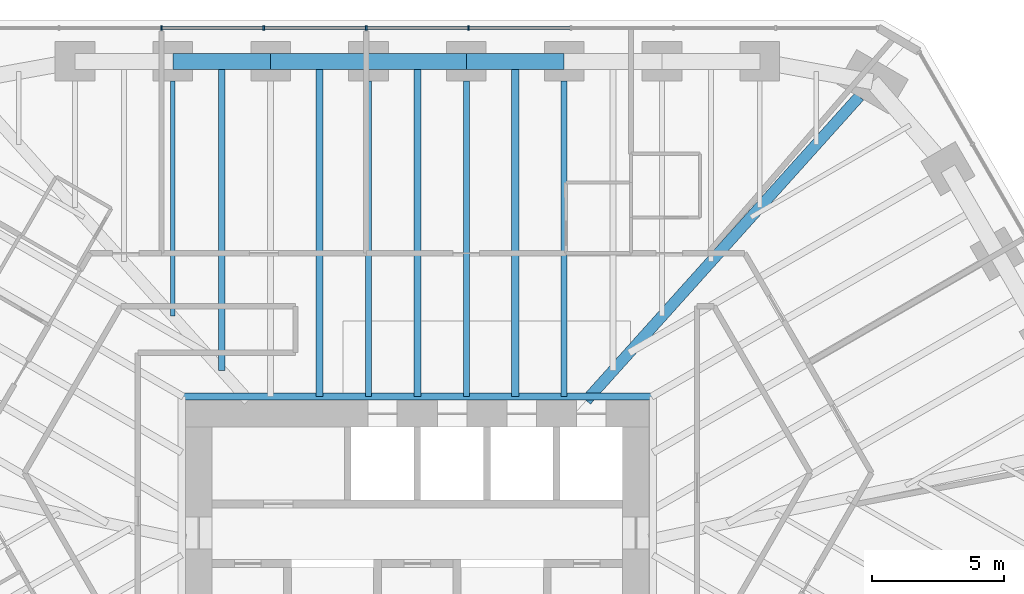
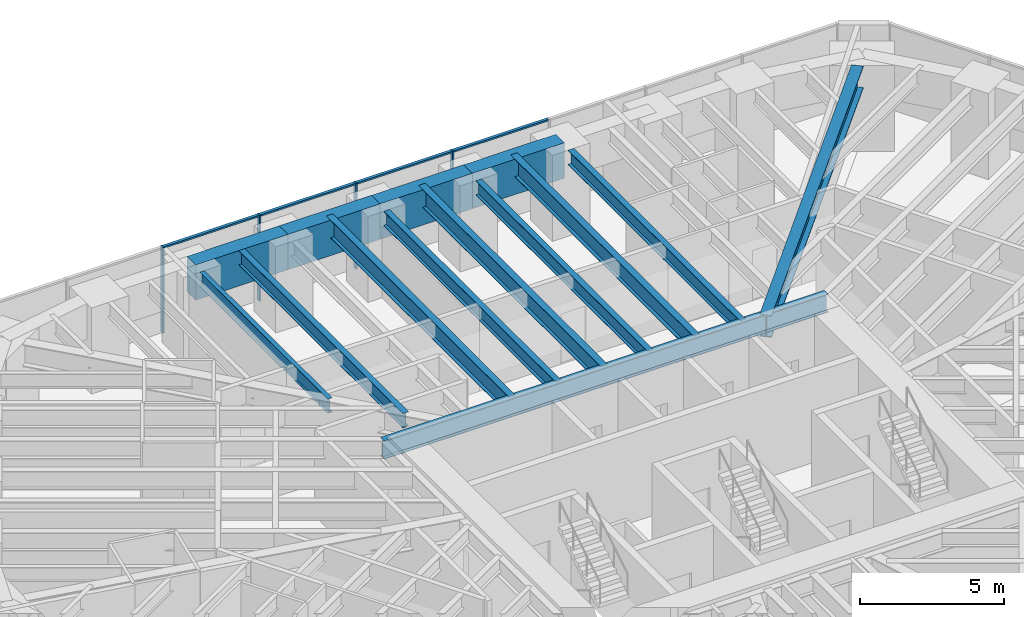
# One storey, part 8 of 16: 14 beams, 8 members, 1 element without a shape of its own.
"""IFC4 building model written with IfcOpenShell, lengths in metres."""

from ifc_helpers import new_model, si_unit, direction, frame, origin, origin_2d, place, context, subcontext, project, spatial, rectangle, i_section, extrude, material, material_profile, profile_set, type_object, element, aggregate, save


model = new_model("IFC4")

# Units and contexts
model_context = context("Model", 3, precision=1e-05, world=origin(), true_north=direction((0.0, 1.0)))
body_context = subcontext(model_context, "Body", "Model", "MODEL_VIEW")
ifc_project = project(units=[si_unit("LENGTHUNIT", "METRE"), si_unit("AREAUNIT", "SQUARE_METRE"), si_unit("VOLUMEUNIT", "CUBIC_METRE"), si_unit("PLANEANGLEUNIT", "RADIAN"), si_unit("MASSUNIT", "GRAM", prefix="KILO")], contexts=[model_context])

# Site, building, storey
site_placement = place(None, origin())
site = spatial("IfcSite", under=ifc_project, at=site_placement, CompositionType="ELEMENT")
building_placement = place(site_placement, origin())
building = spatial("IfcBuilding", under=site, at=building_placement, Name="Sandreach Pilgrim Tower", CompositionType="ELEMENT")
storey_placement = place(building_placement, frame((0.0, 0.0, 228.800048828125)))
storey = spatial("IfcBuildingStorey", under=building, at=storey_placement, Name="L57", CompositionType="ELEMENT", Elevation=228.800048828125)

# Curtain wall, members
ifc_material_1 = material(Name="Aluminium framed curtain wall", Category="aluminium")
curtain_wall_type = type_object("IfcCurtainWallType", Name="Upper hotel tower curtain wall", PredefinedType="NOTDEFINED", material=ifc_material_1)
curtain_wall_placement = place(storey_placement, origin())
curtain_wall = element("IfcCurtainWall", 1, at=curtain_wall_placement, inside=storey, type_object=curtain_wall_type, Name="CW-3 L57 N", PredefinedType="NOTDEFINED")
ifc_material_2 = material(Name="Aluminium extrusion", Category="aluminium")
ifc_material_profile_1 = material_profile(ifc_material_2, rectangle(XDim=0.06494140625, YDim=0.159912109375, at=origin_2d()), Name="CW-3M 65X160")
ifc_profile_set_1 = profile_set([ifc_material_profile_1], Name="Aluminium extrusion")
member_type_1 = type_object("IfcMemberType", Name="CW-3 mullion", PredefinedType="MULLION", material=ifc_profile_set_1)
member_1_placement = place(storey_placement, frame((-9.6611328125, 21.16015625, 0.0), z_axis=(0.0, 0.0, 1.0), x_axis=(1.0, 0.0, 0.0)))
member_1 = element("IfcMember", 2, at=member_1_placement, type_object=member_type_1, Name="CW-3 mullion 3", PredefinedType="MULLION", context=body_context, shape_type="SweptSolid", body=[
    extrude(rectangle(XDim=0.06494140625, YDim=0.159912109375, at=origin_2d()), origin(), (0.0, 0.0, 1.0), 3.639892578125),
])
member_2_placement = place(storey_placement, frame((-5.796630859375, 21.16015625, 0.0), z_axis=(0.0, 0.0, 1.0), x_axis=(1.0, 0.0, 0.0)))
member_2 = element("IfcMember", 3, at=member_2_placement, type_object=member_type_1, Name="CW-3 mullion 4", PredefinedType="MULLION", context=body_context, shape_type="SweptSolid", body=[
    extrude(rectangle(XDim=0.06494140625, YDim=0.159912109375, at=origin_2d()), origin(), (0.0, 0.0, 1.0), 3.639892578125),
])
member_3_placement = place(storey_placement, frame((-1.93212890625, 21.16015625, 0.0), z_axis=(0.0, 0.0, 1.0), x_axis=(1.0, 0.0, 0.0)))
member_3 = element("IfcMember", 4, at=member_3_placement, type_object=member_type_1, Name="CW-3 mullion 5", PredefinedType="MULLION", context=body_context, shape_type="SweptSolid", body=[
    extrude(rectangle(XDim=0.06494140625, YDim=0.159912109375, at=origin_2d()), origin(), (0.0, 0.0, 1.0), 3.639892578125),
])
member_4_placement = place(storey_placement, frame((1.93212890625, 21.16015625, 0.0), z_axis=(0.0, 0.0, 1.0), x_axis=(1.0, 0.0, 0.0)))
member_4 = element("IfcMember", 5, at=member_4_placement, type_object=member_type_1, Name="CW-3 mullion 6", PredefinedType="MULLION", context=body_context, shape_type="SweptSolid", body=[
    extrude(rectangle(XDim=0.06494140625, YDim=0.159912109375, at=origin_2d()), origin(), (0.0, 0.0, 1.0), 3.639892578125),
])
ifc_material_3 = material(Name="Aluminium extrusion", Category="aluminium")
ifc_material_profile_2 = material_profile(ifc_material_3, rectangle(XDim=0.1201171875, YDim=0.070068359375, at=origin_2d()), Name="CW-3T 120X70")
ifc_profile_set_2 = profile_set([ifc_material_profile_2], Name="Aluminium extrusion")
member_type_2 = type_object("IfcMemberType", Name="CW-3 transom", PredefinedType="USERDEFINED", material=ifc_profile_set_2)
member_5_placement = place(storey_placement, frame((-9.628662109375, 21.16015625, 3.60498046875), z_axis=(1.0, 0.0, 0.0), x_axis=(0.0, 1.0, 0.0)))
member_5 = element("IfcMember", 6, at=member_5_placement, type_object=member_type_2, Name="CW-3 head transom 3", ObjectType="TRANSOM", PredefinedType="USERDEFINED", context=body_context, shape_type="SweptSolid", body=[
    extrude(rectangle(XDim=0.1201171875, YDim=0.070068359375, at=origin_2d()), origin(), (0.0, 0.0, 1.0), 3.799560546875),
])
member_6_placement = place(storey_placement, frame((-5.76416015625, 21.16015625, 3.60498046875), z_axis=(1.0, 0.0, 0.0), x_axis=(0.0, 1.0, 0.0)))
member_6 = element("IfcMember", 7, at=member_6_placement, type_object=member_type_2, Name="CW-3 head transom 4", ObjectType="TRANSOM", PredefinedType="USERDEFINED", context=body_context, shape_type="SweptSolid", body=[
    extrude(rectangle(XDim=0.1201171875, YDim=0.070068359375, at=origin_2d()), origin(), (0.0, 0.0, 1.0), 3.799560546875),
])
member_7_placement = place(storey_placement, frame((-1.899658203125, 21.16015625, 3.60498046875), z_axis=(1.0, 0.0, 0.0), x_axis=(0.0, 1.0, 0.0)))
member_7 = element("IfcMember", 8, at=member_7_placement, type_object=member_type_2, Name="CW-3 head transom 5", ObjectType="TRANSOM", PredefinedType="USERDEFINED", context=body_context, shape_type="SweptSolid", body=[
    extrude(rectangle(XDim=0.1201171875, YDim=0.070068359375, at=origin_2d()), origin(), (0.0, 0.0, 1.0), 3.79931640625),
])
member_8_placement = place(storey_placement, frame((1.964599609375, 21.16015625, 3.60498046875), z_axis=(1.0, 0.0, 0.0), x_axis=(0.0, 1.0, 0.0)))
member_8 = element("IfcMember", 9, at=member_8_placement, type_object=member_type_2, Name="CW-3 head transom 6", ObjectType="TRANSOM", PredefinedType="USERDEFINED", context=body_context, shape_type="SweptSolid", body=[
    extrude(rectangle(XDim=0.1201171875, YDim=0.070068359375, at=origin_2d()), origin(), (0.0, 0.0, 1.0), 3.799560546875),
])
aggregate(curtain_wall, [member_1, member_2, member_3, member_4, member_5, member_6, member_7, member_8])

# Beams
ifc_material_4 = material(Name="Steel ASTM A992 Grade 50", Category="steel")
ifc_material_profile_3 = material_profile(ifc_material_4, i_section(OverallWidth=0.2666015625, OverallDepth=0.77978515625, WebThickness=0.0166015625, FlangeThickness=0.030029296875, at=origin_2d()), Name="W30X148")
ifc_profile_set_3 = profile_set([ifc_material_profile_3], Name="Steel ASTM A992 Grade 50")
beam_type_1 = type_object("IfcBeamType", Name="Core edge beam W30X148", PredefinedType="BEAM", material=ifc_profile_set_3)
beam_1_placement = place(storey_placement, frame((-8.893310546875, 7.243408203125, 3.25), z_axis=(1.0, 0.0, 0.0), x_axis=(0.0, 1.0, 0.0)))
element("IfcBeam", 10, at=beam_1_placement, inside=storey, type_object=beam_type_1, Name="BM L57 CEN", PredefinedType="BEAM", context=body_context, shape_type="SweptSolid", body=[
    extrude(i_section(OverallWidth=0.2666015625, OverallDepth=0.77978515625, WebThickness=0.0166015625, FlangeThickness=0.030029296875, at=origin_2d()), origin(), (0.0, 0.0, 1.0), 17.78662109375),
])
ifc_material_5 = material(Name="Steel ASTM A992 Grade 50", Category="steel")
ifc_material_profile_4 = material_profile(ifc_material_5, i_section(OverallWidth=0.421630859375, OverallDepth=0.937255859375, WebThickness=0.0224609375, FlangeThickness=0.039794921875, at=origin_2d()), Name="W36X282")
ifc_profile_set_4 = profile_set([ifc_material_profile_4], Name="Steel ASTM A992 Grade 50")
beam_type_2 = type_object("IfcBeamType", Name="Corner girder W36X282", PredefinedType="BEAM", material=ifc_profile_set_4)
beam_2_placement = place(storey_placement, frame((16.677001953125, 18.572509765625, 3.17138671875), z_axis=(-0.668116607722, -0.744056582853, 0.0), x_axis=(0.744056582853, -0.668116607722, 0.0)))
element("IfcBeam", 11, at=beam_2_placement, inside=storey, type_object=beam_type_2, Name="BM L57 CG09", PredefinedType="BEAM", context=body_context, shape_type="SweptSolid", body=[
    extrude(i_section(OverallWidth=0.421630859375, OverallDepth=0.937255859375, WebThickness=0.0224609375, FlangeThickness=0.039794921875, at=origin_2d()), origin(), (0.0, 0.0, 1.0), 15.418701171875),
])
ifc_material_6 = material(Name="Steel ASTM A992 Grade 50", Category="steel")
ifc_material_profile_5 = material_profile(ifc_material_6, i_section(OverallWidth=0.1787109375, OverallDepth=0.60205078125, WebThickness=0.010986328125, FlangeThickness=0.014892578125, at=origin_2d()), Name="W24X62")
ifc_profile_set_5 = profile_set([ifc_material_profile_5], Name="Steel ASTM A992 Grade 50")
beam_type_3 = type_object("IfcBeamType", Name="Floor beam W24X62", PredefinedType="BEAM", material=ifc_profile_set_5)
beam_3_placement = place(storey_placement, frame((-9.231201171875, 19.150146484375, 3.3388671875), z_axis=(0.0, -1.0, 0.0), x_axis=(1.0, 0.0, 0.0)))
element("IfcBeam", 12, at=beam_3_placement, inside=storey, type_object=beam_type_3, Name="BM L57 F02", PredefinedType="BEAM", context=body_context, shape_type="SweptSolid", body=[
    extrude(i_section(OverallWidth=0.1787109375, OverallDepth=0.60205078125, WebThickness=0.010986328125, FlangeThickness=0.014892578125, at=origin_2d()), origin(), (0.0, 0.0, 1.0), 8.86962890625),
])
ifc_material_7 = material(Name="Steel ASTM A992 Grade 50", Category="steel")
ifc_material_profile_6 = material_profile(ifc_material_7, i_section(OverallWidth=0.23046875, OverallDepth=0.6171875, WebThickness=0.01318359375, FlangeThickness=0.022216796875, at=origin_2d()), Name="W24X94")
ifc_profile_set_6 = profile_set([ifc_material_profile_6], Name="Steel ASTM A992 Grade 50")
beam_type_4 = type_object("IfcBeamType", Name="Floor beam W24X94", PredefinedType="BEAM", material=ifc_profile_set_6)
for number, where, z_axis, x_axis, name in (
    (13, (-1.84619140625, 19.150146484375, 3.331298828125), (0.0, -1.0, 0.0), (1.0, 0.0, 0.0), "BM L57 F04"),
    (14, (1.84619140625, 19.150146484375, 3.331298828125), (0.0, -1.0, 0.0), (1.0, 0.0, 0.0), "BM L57 F05"),
    (15, (5.538818359375, 19.150146484375, 3.331298828125), (0.0, -1.0, 0.0), (1.0, 0.0, 0.0), "BM L57 F06"),
):
    element("IfcBeam", number, at=place(storey_placement, frame(where, z_axis=z_axis, x_axis=x_axis)), inside=storey, type_object=beam_type_4, Name=name, PredefinedType="BEAM", context=body_context, shape_type="SweptSolid", body=[
        extrude(i_section(OverallWidth=0.23046875, OverallDepth=0.6171875, WebThickness=0.01318359375, FlangeThickness=0.022216796875, at=origin_2d()), origin(), (0.0, 0.0, 1.0), 11.90673828125),
    ])
beam_4_placement = place(storey_placement, frame((-7.385009765625, 19.900146484375, 3.331298828125), z_axis=(0.0, -1.0, 0.0), x_axis=(1.0, 0.0, 0.0)))
element("IfcBeam", 16, at=beam_4_placement, inside=storey, type_object=beam_type_4, Name="BM L57 FM02", PredefinedType="BEAM", context=body_context, shape_type="SweptSolid", body=[
    extrude(i_section(OverallWidth=0.23046875, OverallDepth=0.6171875, WebThickness=0.01318359375, FlangeThickness=0.022216796875, at=origin_2d()), origin(), (0.0, 0.0, 1.0), 11.67578125),
])
ifc_material_8 = material(Name="Steel ASTM A992 Grade 50", Category="steel")
ifc_material_profile_7 = material_profile(ifc_material_8, i_section(OverallWidth=0.2666015625, OverallDepth=0.761962890625, WebThickness=0.014404296875, FlangeThickness=0.021484375, at=origin_2d()), Name="W30X116")
ifc_profile_set_7 = profile_set([ifc_material_profile_7], Name="Steel ASTM A992 Grade 50")
beam_type_5 = type_object("IfcBeamType", Name="Floor beam W30X116", PredefinedType="BEAM", material=ifc_profile_set_7)
for number, where, z_axis, x_axis, name in (
    (17, (-3.6923828125, 19.900146484375, 3.259033203125), (0.0, -1.0, 0.0), (1.0, 0.0, 0.0), "BM L57 FM03"),
    (18, (0.0, 19.900146484375, 3.259033203125), (0.0, -1.0, 0.0), (1.0, 0.0, 0.0), "BM L57 FM04"),
    (19, (3.6923828125, 19.900146484375, 3.259033203125), (0.0, -1.0, 0.0), (1.0, 0.0, 0.0), "BM L57 FM05"),
):
    element("IfcBeam", number, at=place(storey_placement, frame(where, z_axis=z_axis, x_axis=x_axis)), inside=storey, type_object=beam_type_5, Name=name, PredefinedType="BEAM", context=body_context, shape_type="SweptSolid", body=[
        extrude(i_section(OverallWidth=0.2666015625, OverallDepth=0.761962890625, WebThickness=0.014404296875, FlangeThickness=0.021484375, at=origin_2d()), origin(), (0.0, 0.0, 1.0), 12.65673828125),
    ])
ifc_material_9 = material(Name="Concrete 10000 psi", Category="concrete")
ifc_material_profile_8 = material_profile(ifc_material_9, rectangle(XDim=0.60009765625, YDim=1.5, at=origin_2d()), Name="RC600X1500")
ifc_profile_set_8 = profile_set([ifc_material_profile_8], Name="Concrete 10000 psi")
beam_type_6 = type_object("IfcBeamType", Name="Spandrel beam RC600X1500", PredefinedType="SPANDREL", material=ifc_profile_set_8)
beam_5_placement = place(storey_placement, frame((-9.231201171875, 19.900146484375, 2.889892578125), z_axis=(1.0, 0.0, 0.0), x_axis=(0.0, 1.0, 0.0)))
element("IfcBeam", 20, at=beam_5_placement, inside=storey, type_object=beam_type_6, Name="BM L57 SP02", PredefinedType="SPANDREL", context=body_context, shape_type="SweptSolid", body=[
    extrude(rectangle(XDim=0.60009765625, YDim=1.5, at=origin_2d()), origin(), (0.0, 0.0, 1.0), 3.6923828125),
])
beam_6_placement = place(storey_placement, frame((-5.538818359375, 19.900146484375, 2.889892578125), z_axis=(1.0, 0.0, 0.0), x_axis=(0.0, 1.0, 0.0)))
element("IfcBeam", 21, at=beam_6_placement, inside=storey, type_object=beam_type_6, Name="BM L57 SP03", PredefinedType="SPANDREL", context=body_context, shape_type="SweptSolid", body=[
    extrude(rectangle(XDim=0.60009765625, YDim=1.5, at=origin_2d()), origin(), (0.0, 0.0, 1.0), 3.692626953125),
])
beam_7_placement = place(storey_placement, frame((-1.84619140625, 19.900146484375, 2.889892578125), z_axis=(1.0, 0.0, 0.0), x_axis=(0.0, 1.0, 0.0)))
element("IfcBeam", 22, at=beam_7_placement, inside=storey, type_object=beam_type_6, Name="BM L57 SP04", PredefinedType="SPANDREL", context=body_context, shape_type="SweptSolid", body=[
    extrude(rectangle(XDim=0.60009765625, YDim=1.5, at=origin_2d()), origin(), (0.0, 0.0, 1.0), 3.6923828125),
])
beam_8_placement = place(storey_placement, frame((1.84619140625, 19.900146484375, 2.889892578125), z_axis=(1.0, 0.0, 0.0), x_axis=(0.0, 1.0, 0.0)))
element("IfcBeam", 23, at=beam_8_placement, inside=storey, type_object=beam_type_6, Name="BM L57 SP05", PredefinedType="SPANDREL", context=body_context, shape_type="SweptSolid", body=[
    extrude(rectangle(XDim=0.60009765625, YDim=1.5, at=origin_2d()), origin(), (0.0, 0.0, 1.0), 3.692626953125),
])

save(model, "model.ifc")
